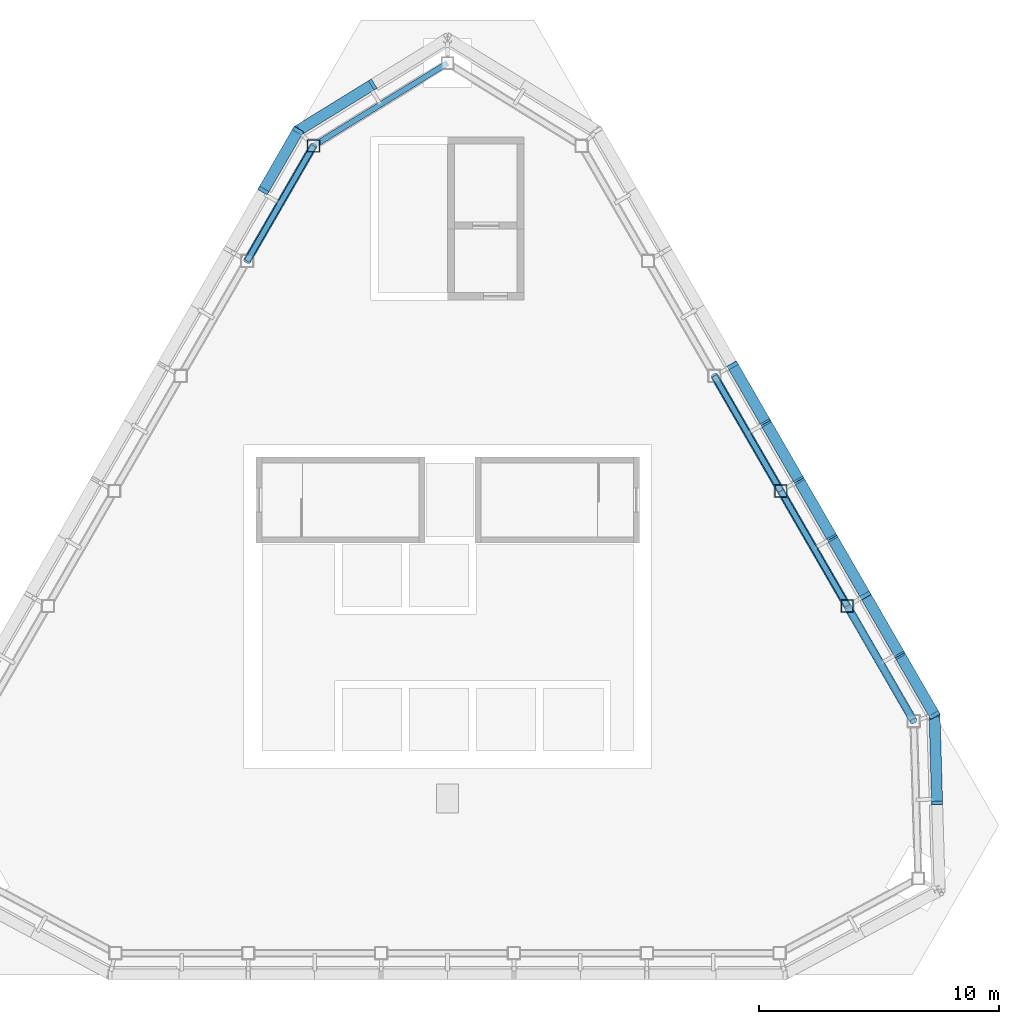
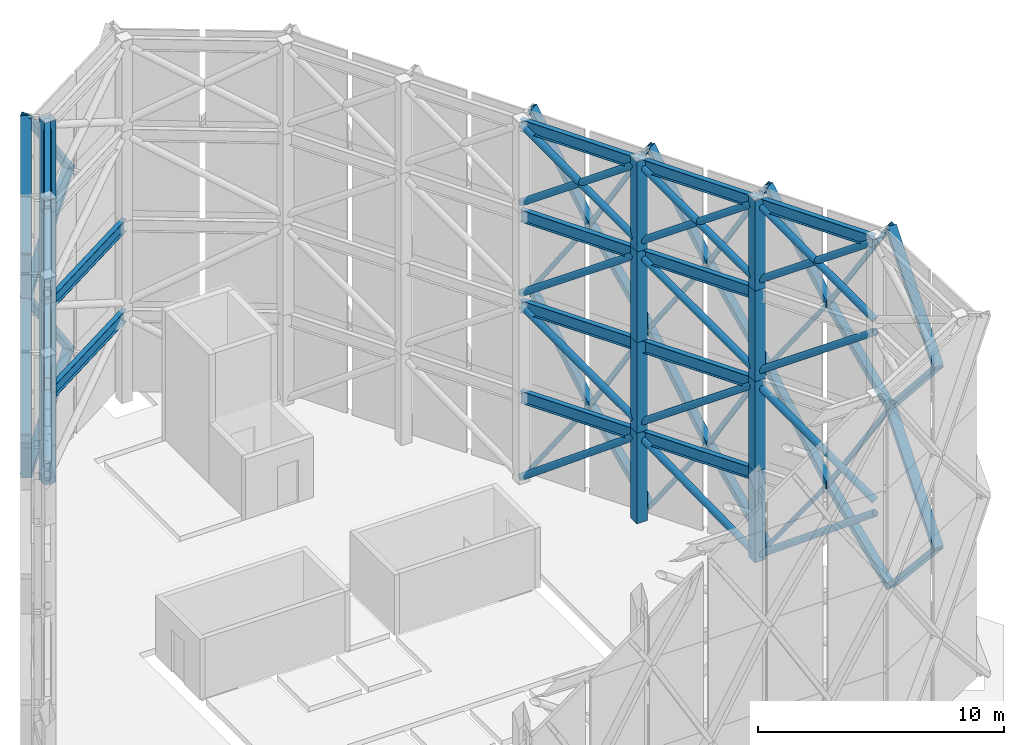
# One storey, part 5 of 12: 68 members, 15 beams.
"""IFC4 building model written with IfcOpenShell, lengths in metres."""

from ifc_helpers import new_model, si_unit, direction, frame, origin, origin_2d, place, context, subcontext, project, spatial, hollow_rectangle, hollow_circle, i_section, extrude, material, material_profile, profile_set, type_object, element, save


model = new_model("IFC4")

# Units and contexts
model_context = context("Model", 3, precision=1e-05, world=origin(), true_north=direction((0.0, 1.0)))
body_context = subcontext(model_context, "Body", "Model", "MODEL_VIEW")
ifc_project = project(units=[si_unit("LENGTHUNIT", "METRE"), si_unit("AREAUNIT", "SQUARE_METRE"), si_unit("VOLUMEUNIT", "CUBIC_METRE"), si_unit("PLANEANGLEUNIT", "RADIAN"), si_unit("MASSUNIT", "GRAM", prefix="KILO")], contexts=[model_context])

# Site, building, storey
site_placement = place(None, origin())
site = spatial("IfcSite", under=ifc_project, at=site_placement, CompositionType="ELEMENT")
building_placement = place(site_placement, origin())
building = spatial("IfcBuilding", under=site, at=building_placement, Name="Firuza Gate Tower and Library", CompositionType="ELEMENT")
storey_placement = place(building_placement, frame((0.0, 0.0, 339.60009765625)))
storey = spatial("IfcBuildingStorey", under=building, at=storey_placement, Name="Roof", CompositionType="ELEMENT", Elevation=339.60009765625)

# Members
ifc_material_1 = material(Name="Steel S355", Category="steel")
ifc_material_profile_1 = material_profile(ifc_material_1, hollow_rectangle(XDim=0.457275390625, YDim=0.203125, WallThickness=0.01171875, at=origin_2d()))
ifc_profile_set_1 = profile_set([ifc_material_profile_1], Name="Steel S355")
member_type_1 = type_object("IfcMemberType", Name="Crown lattice bar HSS203x457x13", PredefinedType="BRACE", material=ifc_profile_set_1)
member_1_placement = place(storey_placement, frame((95.427978515625, 66.809814453125, 4.198486328125), z_axis=(-0.019488030529, 0.66649952247, -0.74525069823), x_axis=(-0.99957280333, -0.029226885618, 0.0)))
element("IfcMember", 1, at=member_1_placement, inside=storey, type_object=member_type_1, Name="Crown lattice bar 9.1b", PredefinedType="BRACE", context=body_context, shape_type="SweptSolid", body=[
    extrude(hollow_rectangle(XDim=0.457275390625, YDim=0.203125, WallThickness=0.01171875, at=origin_2d()), origin(), (0.0, 0.0, 1.0), 5.499755859375),
])
member_2_placement = place(storey_placement, frame((95.427978515625, 66.809814453125, 4.198486328125), z_axis=(-0.017739671757, 0.606704855959, 0.794729212878), x_axis=(-0.99957280333, -0.029226885618, 0.0)))
element("IfcMember", 2, at=member_2_placement, inside=storey, type_object=member_type_1, Name="Crown lattice bar 9.2b", PredefinedType="BRACE", context=body_context, shape_type="SweptSolid", body=[
    extrude(hollow_rectangle(XDim=0.457275390625, YDim=0.203125, WallThickness=0.01171875, at=origin_2d()), origin(), (0.0, 0.0, 1.0), 6.041748046875),
])
member_3_placement = place(storey_placement, frame((95.427978515625, 66.809814453125, 13.198486328125), z_axis=(-0.019226487301, 0.657554624899, -0.753161508218), x_axis=(-0.99957280333, -0.029226885618, 0.0)))
element("IfcMember", 3, at=member_3_placement, inside=storey, type_object=member_type_1, Name="Crown lattice bar 9.3b", PredefinedType="BRACE", context=body_context, shape_type="SweptSolid", body=[
    extrude(hollow_rectangle(XDim=0.457275390625, YDim=0.203125, WallThickness=0.01171875, at=origin_2d()), origin(), (0.0, 0.0, 1.0), 5.574462890625),
])
member_4_placement = place(storey_placement, frame((95.427978515625, 66.809814453125, 13.198486328125), z_axis=(-0.017739671757, 0.606704855959, 0.794729212878), x_axis=(-0.99957280333, -0.029226885618, 0.0)))
element("IfcMember", 4, at=member_4_placement, inside=storey, type_object=member_type_1, Name="Crown lattice bar 9.4b", PredefinedType="BRACE", context=body_context, shape_type="SweptSolid", body=[
    extrude(hollow_rectangle(XDim=0.457275390625, YDim=0.203125, WallThickness=0.01171875, at=origin_2d()), origin(), (0.0, 0.0, 1.0), 6.041748046875),
])
member_5_placement = place(storey_placement, frame((95.32080078125, 70.475341796875, 0.099853515625), z_axis=(-0.287622027122, 0.498161545874, 0.817990613471), x_axis=(-0.866019137337, -0.500010853648, 0.0)))
element("IfcMember", 5, at=member_5_placement, inside=storey, type_object=member_type_1, Name="Crown lattice bar 10.1a", PredefinedType="BRACE", context=body_context, shape_type="SweptSolid", body=[
    extrude(hollow_rectangle(XDim=0.457275390625, YDim=0.203125, WallThickness=0.01171875, at=origin_2d()), origin(), (0.0, 0.0, 1.0), 5.010498046875),
])
member_6_placement = place(storey_placement, frame((93.879638671875, 72.971435546875, 4.198486328125), z_axis=(-0.287570351699, 0.498205158611, -0.817982220319), x_axis=(-0.866076985468, -0.49991064726, 0.0)))
element("IfcMember", 6, at=member_6_placement, inside=storey, type_object=member_type_1, Name="Crown lattice bar 10.1b", PredefinedType="BRACE", context=body_context, shape_type="SweptSolid", body=[
    extrude(hollow_rectangle(XDim=0.457275390625, YDim=0.203125, WallThickness=0.01171875, at=origin_2d()), origin(), (0.0, 0.0, 1.0), 5.0107421875),
])
member_7_placement = place(storey_placement, frame((95.32080078125, 70.475341796875, 9.0), z_axis=(-0.257342311156, 0.445717057303, -0.85738628384), x_axis=(-0.866019137337, -0.500010853648, 0.0)))
element("IfcMember", 7, at=member_7_placement, inside=storey, type_object=member_type_1, Name="Crown lattice bar 10.2a", PredefinedType="BRACE", context=body_context, shape_type="SweptSolid", body=[
    extrude(hollow_rectangle(XDim=0.457275390625, YDim=0.203125, WallThickness=0.01171875, at=origin_2d()), origin(), (0.0, 0.0, 1.0), 5.60009765625),
])
member_8_placement = place(storey_placement, frame((93.879638671875, 72.971435546875, 4.198486328125), z_axis=(-0.257296602523, 0.445756990986, 0.857379241244), x_axis=(-0.866076985468, -0.49991064726, 0.0)))
element("IfcMember", 8, at=member_8_placement, inside=storey, type_object=member_type_1, Name="Crown lattice bar 10.2b", PredefinedType="BRACE", context=body_context, shape_type="SweptSolid", body=[
    extrude(hollow_rectangle(XDim=0.457275390625, YDim=0.203125, WallThickness=0.01171875, at=origin_2d()), origin(), (0.0, 0.0, 1.0), 5.600341796875),
])
member_9_placement = place(storey_placement, frame((95.32080078125, 70.475341796875, 9.0), z_axis=(-0.282990630091, 0.490139963079, 0.82442654001), x_axis=(-0.866019137337, -0.500010853648, 0.0)))
element("IfcMember", 9, at=member_9_placement, inside=storey, type_object=member_type_1, Name="Crown lattice bar 10.3a", PredefinedType="BRACE", context=body_context, shape_type="SweptSolid", body=[
    extrude(hollow_rectangle(XDim=0.457275390625, YDim=0.203125, WallThickness=0.01171875, at=origin_2d()), origin(), (0.0, 0.0, 1.0), 5.092529296875),
])
member_10_placement = place(storey_placement, frame((93.879638671875, 72.971435546875, 13.198486328125), z_axis=(-0.282939879508, 0.49018303422, -0.824418351049), x_axis=(-0.866076985468, -0.49991064726, 0.0)))
element("IfcMember", 10, at=member_10_placement, inside=storey, type_object=member_type_1, Name="Crown lattice bar 10.3b", PredefinedType="BRACE", context=body_context, shape_type="SweptSolid", body=[
    extrude(hollow_rectangle(XDim=0.457275390625, YDim=0.203125, WallThickness=0.01171875, at=origin_2d()), origin(), (0.0, 0.0, 1.0), 5.0927734375),
])
member_11_placement = place(storey_placement, frame((95.32080078125, 70.475341796875, 18.0), z_axis=(-0.257342311156, 0.445717057303, -0.85738628384), x_axis=(-0.866019137337, -0.500010853648, 0.0)))
element("IfcMember", 11, at=member_11_placement, inside=storey, type_object=member_type_1, Name="Crown lattice bar 10.4a", PredefinedType="BRACE", context=body_context, shape_type="SweptSolid", body=[
    extrude(hollow_rectangle(XDim=0.457275390625, YDim=0.203125, WallThickness=0.01171875, at=origin_2d()), origin(), (0.0, 0.0, 1.0), 5.60009765625),
])
member_12_placement = place(storey_placement, frame((93.879638671875, 72.971435546875, 13.198486328125), z_axis=(-0.257296602523, 0.445756990986, 0.857379241244), x_axis=(-0.866076985468, -0.49991064726, 0.0)))
element("IfcMember", 12, at=member_12_placement, inside=storey, type_object=member_type_1, Name="Crown lattice bar 10.4b", PredefinedType="BRACE", context=body_context, shape_type="SweptSolid", body=[
    extrude(hollow_rectangle(XDim=0.457275390625, YDim=0.203125, WallThickness=0.01171875, at=origin_2d()), origin(), (0.0, 0.0, 1.0), 5.600341796875),
])
member_13_placement = place(storey_placement, frame((92.438720703125, 75.4677734375, 0.099853515625), z_axis=(-0.280077823985, 0.485103080972, 0.828390857834), x_axis=(-0.86602275259, -0.500004591975, 0.0)))
element("IfcMember", 13, at=member_13_placement, inside=storey, type_object=member_type_1, Name="Crown lattice bar 11.1a", PredefinedType="BRACE", context=body_context, shape_type="SweptSolid", body=[
    extrude(hollow_rectangle(XDim=0.457275390625, YDim=0.203125, WallThickness=0.01171875, at=origin_2d()), origin(), (0.0, 0.0, 1.0), 4.94775390625),
])
member_14_placement = place(storey_placement, frame((91.052978515625, 77.867919921875, 4.198486328125), z_axis=(-0.280084528118, 0.485065347322, -0.828410686759), x_axis=(-0.866000726912, -0.500042739161, 0.0)))
element("IfcMember", 14, at=member_14_placement, inside=storey, type_object=member_type_1, Name="Crown lattice bar 11.1b", PredefinedType="BRACE", context=body_context, shape_type="SweptSolid", body=[
    extrude(hollow_rectangle(XDim=0.457275390625, YDim=0.203125, WallThickness=0.01171875, at=origin_2d()), origin(), (0.0, 0.0, 1.0), 4.947509765625),
])
for number, where, z_axis, x_axis, name in (
    (15, (92.438720703125, 75.4677734375, 9.0), (-0.249955196291, 0.432929798228, -0.866079782499), (-0.86602275259, -0.500004591975, 0.0), "Crown lattice bar 11.2a"),
    (16, (91.052978515625, 77.867919921875, 4.198486328125), (-0.249959961586, 0.432894013811, 0.86609629396), (-0.866000726912, -0.500042739161, 0.0), "Crown lattice bar 11.2b"),
):
    element("IfcMember", number, at=place(storey_placement, frame(where, z_axis=z_axis, x_axis=x_axis)), inside=storey, type_object=member_type_1, Name=name, PredefinedType="BRACE", context=body_context, shape_type="SweptSolid", body=[
        extrude(hollow_rectangle(XDim=0.457275390625, YDim=0.203125, WallThickness=0.01171875, at=origin_2d()), origin(), (0.0, 0.0, 1.0), 5.5439453125),
    ])
member_15_placement = place(storey_placement, frame((92.438720703125, 75.4677734375, 9.0), z_axis=(-0.275455337483, 0.477096797533, 0.834567554387), x_axis=(-0.86602275259, -0.500004591975, 0.0)))
element("IfcMember", 17, at=member_15_placement, inside=storey, type_object=member_type_1, Name="Crown lattice bar 11.3a", PredefinedType="BRACE", context=body_context, shape_type="SweptSolid", body=[
    extrude(hollow_rectangle(XDim=0.457275390625, YDim=0.203125, WallThickness=0.01171875, at=origin_2d()), origin(), (0.0, 0.0, 1.0), 5.03076171875),
])
member_16_placement = place(storey_placement, frame((91.052978515625, 77.867919921875, 13.198486328125), z_axis=(-0.275461715116, 0.477059312824, -0.834586877175), x_axis=(-0.866000726912, -0.500042739161, 0.0)))
element("IfcMember", 18, at=member_16_placement, inside=storey, type_object=member_type_1, Name="Crown lattice bar 11.3b", PredefinedType="BRACE", context=body_context, shape_type="SweptSolid", body=[
    extrude(hollow_rectangle(XDim=0.457275390625, YDim=0.203125, WallThickness=0.01171875, at=origin_2d()), origin(), (0.0, 0.0, 1.0), 5.030517578125),
])
for number, where, z_axis, x_axis, name in (
    (19, (92.438720703125, 75.4677734375, 18.0), (-0.249955196291, 0.432929798228, -0.866079782499), (-0.86602275259, -0.500004591975, 0.0), "Crown lattice bar 11.4a"),
    (20, (91.052978515625, 77.867919921875, 13.198486328125), (-0.249959961586, 0.432894013811, 0.86609629396), (-0.866000726912, -0.500042739161, 0.0), "Crown lattice bar 11.4b"),
):
    element("IfcMember", number, at=place(storey_placement, frame(where, z_axis=z_axis, x_axis=x_axis)), inside=storey, type_object=member_type_1, Name=name, PredefinedType="BRACE", context=body_context, shape_type="SweptSolid", body=[
        extrude(hollow_rectangle(XDim=0.457275390625, YDim=0.203125, WallThickness=0.01171875, at=origin_2d()), origin(), (0.0, 0.0, 1.0), 5.5439453125),
    ])
for number, where, z_axis, x_axis, name in (
    (21, (89.667236328125, 80.267822265625, 0.099853515625), (-0.280077823985, 0.485103080972, 0.828390857834), (-0.86602275259, -0.500004591975, 0.0), "Crown lattice bar 12.1a"),
    (22, (88.281494140625, 82.66796875, 4.198486328125), (-0.280077823985, 0.485103080972, -0.828390857834), (-0.86602275259, -0.500004591975, 0.0), "Crown lattice bar 12.1b"),
):
    element("IfcMember", number, at=place(storey_placement, frame(where, z_axis=z_axis, x_axis=x_axis)), inside=storey, type_object=member_type_1, Name=name, PredefinedType="BRACE", context=body_context, shape_type="SweptSolid", body=[
        extrude(hollow_rectangle(XDim=0.457275390625, YDim=0.203125, WallThickness=0.01171875, at=origin_2d()), origin(), (0.0, 0.0, 1.0), 4.94775390625),
    ])
for number, where, z_axis, x_axis, name in (
    (23, (89.667236328125, 80.267822265625, 9.0), (-0.249955196291, 0.432929798228, -0.866079782499), (-0.86602275259, -0.500004591975, 0.0), "Crown lattice bar 12.2a"),
    (24, (88.281494140625, 82.66796875, 4.198486328125), (-0.249955196291, 0.432929798228, 0.866079782499), (-0.86602275259, -0.500004591975, 0.0), "Crown lattice bar 12.2b"),
):
    element("IfcMember", number, at=place(storey_placement, frame(where, z_axis=z_axis, x_axis=x_axis)), inside=storey, type_object=member_type_1, Name=name, PredefinedType="BRACE", context=body_context, shape_type="SweptSolid", body=[
        extrude(hollow_rectangle(XDim=0.457275390625, YDim=0.203125, WallThickness=0.01171875, at=origin_2d()), origin(), (0.0, 0.0, 1.0), 5.5439453125),
    ])
for number, where, z_axis, x_axis, name in (
    (25, (89.667236328125, 80.267822265625, 9.0), (-0.275455337483, 0.477096797533, 0.834567554387), (-0.86602275259, -0.500004591975, 0.0), "Crown lattice bar 12.3a"),
    (26, (88.281494140625, 82.66796875, 13.198486328125), (-0.275455337483, 0.477096797533, -0.834567554387), (-0.86602275259, -0.500004591975, 0.0), "Crown lattice bar 12.3b"),
):
    element("IfcMember", number, at=place(storey_placement, frame(where, z_axis=z_axis, x_axis=x_axis)), inside=storey, type_object=member_type_1, Name=name, PredefinedType="BRACE", context=body_context, shape_type="SweptSolid", body=[
        extrude(hollow_rectangle(XDim=0.457275390625, YDim=0.203125, WallThickness=0.01171875, at=origin_2d()), origin(), (0.0, 0.0, 1.0), 5.03076171875),
    ])
for number, where, z_axis, x_axis, name in (
    (27, (89.667236328125, 80.267822265625, 18.0), (-0.249955196291, 0.432929798228, -0.866079782499), (-0.86602275259, -0.500004591975, 0.0), "Crown lattice bar 12.4a"),
    (28, (88.281494140625, 82.66796875, 13.198486328125), (-0.249955196291, 0.432929798228, 0.866079782499), (-0.86602275259, -0.500004591975, 0.0), "Crown lattice bar 12.4b"),
):
    element("IfcMember", number, at=place(storey_placement, frame(where, z_axis=z_axis, x_axis=x_axis)), inside=storey, type_object=member_type_1, Name=name, PredefinedType="BRACE", context=body_context, shape_type="SweptSolid", body=[
        extrude(hollow_rectangle(XDim=0.457275390625, YDim=0.203125, WallThickness=0.01171875, at=origin_2d()), origin(), (0.0, 0.0, 1.0), 5.5439453125),
    ])
member_17_placement = place(storey_placement, frame((71.87890625, 96.786376953125, 4.198486328125), z_axis=(-0.567454152769, -0.350158676136, -0.745241360924), x_axis=(0.525137077741, -0.85101765527, 0.0)))
element("IfcMember", 29, at=member_17_placement, inside=storey, type_object=member_type_1, Name="Crown lattice bar 16.1b", PredefinedType="BRACE", context=body_context, shape_type="SweptSolid", body=[
    extrude(hollow_rectangle(XDim=0.457275390625, YDim=0.203125, WallThickness=0.01171875, at=origin_2d()), origin(), (0.0, 0.0, 1.0), 5.499755859375),
])
member_18_placement = place(storey_placement, frame((71.87890625, 96.786376953125, 4.198486328125), z_axis=(-0.516546400492, -0.318745052576, 0.794720962097), x_axis=(0.525137077741, -0.85101765527, 0.0)))
element("IfcMember", 30, at=member_18_placement, inside=storey, type_object=member_type_1, Name="Crown lattice bar 16.2b", PredefinedType="BRACE", context=body_context, shape_type="SweptSolid", body=[
    extrude(hollow_rectangle(XDim=0.457275390625, YDim=0.203125, WallThickness=0.01171875, at=origin_2d()), origin(), (0.0, 0.0, 1.0), 6.041748046875),
])
member_19_placement = place(storey_placement, frame((71.87890625, 96.786376953125, 13.198486328125), z_axis=(-0.559838701503, -0.345459413084, -0.753152323379), x_axis=(0.525137077741, -0.85101765527, 0.0)))
element("IfcMember", 31, at=member_19_placement, inside=storey, type_object=member_type_1, Name="Crown lattice bar 16.3b", PredefinedType="BRACE", context=body_context, shape_type="SweptSolid", body=[
    extrude(hollow_rectangle(XDim=0.457275390625, YDim=0.203125, WallThickness=0.01171875, at=origin_2d()), origin(), (0.0, 0.0, 1.0), 5.574462890625),
])
member_20_placement = place(storey_placement, frame((71.87890625, 96.786376953125, 13.198486328125), z_axis=(-0.516546400492, -0.318745052576, 0.794720962097), x_axis=(0.525137077741, -0.85101765527, 0.0)))
element("IfcMember", 32, at=member_20_placement, inside=storey, type_object=member_type_1, Name="Crown lattice bar 16.4b", PredefinedType="BRACE", context=body_context, shape_type="SweptSolid", body=[
    extrude(hollow_rectangle(XDim=0.457275390625, YDim=0.203125, WallThickness=0.01171875, at=origin_2d()), origin(), (0.0, 0.0, 1.0), 6.041748046875),
])
member_21_placement = place(storey_placement, frame((68.758056640625, 94.860595703125, 0.099853515625), z_axis=(-0.287622027122, -0.498161545874, 0.817990613471), x_axis=(0.866019137337, -0.500010853648, 0.0)))
element("IfcMember", 33, at=member_21_placement, inside=storey, type_object=member_type_1, Name="Crown lattice bar 17.1a", PredefinedType="BRACE", context=body_context, shape_type="SweptSolid", body=[
    extrude(hollow_rectangle(XDim=0.457275390625, YDim=0.203125, WallThickness=0.01171875, at=origin_2d()), origin(), (0.0, 0.0, 1.0), 5.010498046875),
])
member_22_placement = place(storey_placement, frame((68.758056640625, 94.860595703125, 9.0), z_axis=(-0.257342311156, -0.445717057303, -0.85738628384), x_axis=(0.866019137337, -0.500010853648, 0.0)))
element("IfcMember", 34, at=member_22_placement, inside=storey, type_object=member_type_1, Name="Crown lattice bar 17.2a", PredefinedType="BRACE", context=body_context, shape_type="SweptSolid", body=[
    extrude(hollow_rectangle(XDim=0.457275390625, YDim=0.203125, WallThickness=0.01171875, at=origin_2d()), origin(), (0.0, 0.0, 1.0), 5.60009765625),
])
member_23_placement = place(storey_placement, frame((68.758056640625, 94.860595703125, 9.0), z_axis=(-0.282990630091, -0.490139963079, 0.82442654001), x_axis=(0.866019137337, -0.500010853648, 0.0)))
element("IfcMember", 35, at=member_23_placement, inside=storey, type_object=member_type_1, Name="Crown lattice bar 17.3a", PredefinedType="BRACE", context=body_context, shape_type="SweptSolid", body=[
    extrude(hollow_rectangle(XDim=0.457275390625, YDim=0.203125, WallThickness=0.01171875, at=origin_2d()), origin(), (0.0, 0.0, 1.0), 5.092529296875),
])
member_24_placement = place(storey_placement, frame((68.758056640625, 94.860595703125, 18.0), z_axis=(-0.257342311156, -0.445717057303, -0.85738628384), x_axis=(0.866019137337, -0.500010853648, 0.0)))
element("IfcMember", 36, at=member_24_placement, inside=storey, type_object=member_type_1, Name="Crown lattice bar 17.4a", PredefinedType="BRACE", context=body_context, shape_type="SweptSolid", body=[
    extrude(hollow_rectangle(XDim=0.457275390625, YDim=0.203125, WallThickness=0.01171875, at=origin_2d()), origin(), (0.0, 0.0, 1.0), 5.60009765625),
])
ifc_material_2 = material(Name="Steel S355", Category="steel")
ifc_material_profile_2 = material_profile(ifc_material_2, hollow_circle(Radius=0.161865234375, WallThickness=0.01171875, at=origin_2d()))
ifc_profile_set_2 = profile_set([ifc_material_profile_2], Name="Steel S355")
member_type_2 = type_object("IfcMemberType", Name="HSS324x13 CROWN FRAME brace", PredefinedType="BRACE", material=ifc_profile_set_2)
for number, where, z_axis, x_axis, name in (
    (37, (91.677734375, 75.0283203125, 0.161865234375), (0.40418408875, -0.700058804881, 0.588687431589), (0.86602275259, 0.500004591975, 0.0), "CROWN FRAME brace tier 1 10"),
    (38, (91.677734375, 75.0283203125, 0.161865234375), (-0.40418408875, 0.700058804881, 0.588687431589), (-0.86602275259, -0.500004591975, 0.0), "CROWN FRAME brace tier 1 11"),
    (39, (86.134765625, 84.62890625, 0.161865234375), (0.40418408875, -0.700058804881, 0.588687431589), (0.86602275259, 0.500004591975, 0.0), "CROWN FRAME brace tier 1 12"),
    (40, (69.407958984375, 94.2294921875, 0.161865234375), (-0.40418408875, -0.700058804881, 0.588687431589), (0.86602275259, -0.500004591975, 0.0), "CROWN FRAME brace tier 1 17"),
):
    element("IfcMember", number, at=place(storey_placement, frame(where, z_axis=z_axis, x_axis=x_axis)), inside=storey, type_object=member_type_2, Name=name, PredefinedType="BRACE", context=body_context, shape_type="SweptSolid", body=[
        extrude(hollow_circle(Radius=0.161865234375, WallThickness=0.01171875, at=origin_2d()), origin(), (0.0, 0.0, 1.0), 6.85693359375),
    ])
for number, where, z_axis, x_axis, name in (
    (41, (94.44921875, 70.22802734375, 4.801513671875), (-0.409031926637, 0.708455403588, 0.575138091347), (-0.86602275259, -0.500004591975, 0.0), "CROWN FRAME brace tier 2 10"),
    (42, (88.90625, 79.82861328125, 4.801513671875), (0.409031926637, -0.708455403588, 0.575138091347), (0.86602275259, 0.500004591975, 0.0), "CROWN FRAME brace tier 2 11"),
    (43, (88.90625, 79.82861328125, 4.801513671875), (-0.409031926637, 0.708455403588, 0.575138091347), (-0.86602275259, -0.500004591975, 0.0), "CROWN FRAME brace tier 2 12"),
    (44, (66.636474609375, 89.42919921875, 4.801513671875), (0.409031926637, 0.708455403588, 0.575138091347), (-0.86602275259, 0.500004591975, 0.0), "CROWN FRAME brace tier 2 17"),
    (45, (91.677734375, 75.0283203125, 9.301513671875), (0.409031926637, -0.708455403588, 0.575138091347), (0.86602275259, 0.500004591975, 0.0), "CROWN FRAME brace tier 3 10"),
    (46, (91.677734375, 75.0283203125, 9.301513671875), (-0.409031926637, 0.708455403588, 0.575138091347), (-0.86602275259, -0.500004591975, 0.0), "CROWN FRAME brace tier 3 11"),
    (47, (86.134765625, 84.62890625, 9.301513671875), (0.409031926637, -0.708455403588, 0.575138091347), (0.86602275259, 0.500004591975, 0.0), "CROWN FRAME brace tier 3 12"),
    (48, (69.407958984375, 94.2294921875, 9.301513671875), (-0.409031926637, -0.708455403588, 0.575138091347), (0.86602275259, -0.500004591975, 0.0), "CROWN FRAME brace tier 3 17"),
    (49, (94.44921875, 70.22802734375, 13.801513671875), (-0.409031926637, 0.708455403588, 0.575138091347), (-0.86602275259, -0.500004591975, 0.0), "CROWN FRAME brace tier 4 10"),
    (50, (91.677734375, 75.0283203125, 13.801513671875), (0.409031926637, -0.708455403588, 0.575138091347), (0.86602275259, 0.500004591975, 0.0), "CROWN FRAME counter brace tier 4 10"),
    (51, (88.90625, 79.82861328125, 13.801513671875), (0.409031926637, -0.708455403588, 0.575138091347), (0.86602275259, 0.500004591975, 0.0), "CROWN FRAME brace tier 4 11"),
    (52, (91.677734375, 75.0283203125, 13.801513671875), (-0.409031926637, 0.708455403588, 0.575138091347), (-0.86602275259, -0.500004591975, 0.0), "CROWN FRAME counter brace tier 4 11"),
    (53, (88.90625, 79.82861328125, 13.801513671875), (-0.409031926637, 0.708455403588, 0.575138091347), (-0.86602275259, -0.500004591975, 0.0), "CROWN FRAME brace tier 4 12"),
    (54, (86.134765625, 84.62890625, 13.801513671875), (0.409031926637, -0.708455403588, 0.575138091347), (0.86602275259, 0.500004591975, 0.0), "CROWN FRAME counter brace tier 4 12"),
    (55, (66.636474609375, 89.42919921875, 13.801513671875), (0.409031926637, 0.708455403588, 0.575138091347), (-0.86602275259, 0.500004591975, 0.0), "CROWN FRAME brace tier 4 17"),
    (56, (69.407958984375, 94.2294921875, 13.801513671875), (-0.409031926637, -0.708455403588, 0.575138091347), (0.86602275259, -0.500004591975, 0.0), "CROWN FRAME counter brace tier 4 17"),
):
    element("IfcMember", number, at=place(storey_placement, frame(where, z_axis=z_axis, x_axis=x_axis)), inside=storey, type_object=member_type_2, Name=name, PredefinedType="BRACE", context=body_context, shape_type="SweptSolid", body=[
        extrude(hollow_circle(Radius=0.161865234375, WallThickness=0.01171875, at=origin_2d()), origin(), (0.0, 0.0, 1.0), 6.775634765625),
    ])
ifc_material_3 = material(Name="Steel S355", Category="steel")
ifc_material_profile_3 = material_profile(ifc_material_3, hollow_rectangle(XDim=0.508056640625, YDim=0.508056640625, WallThickness=0.014892578125, at=origin_2d()))
ifc_profile_set_3 = profile_set([ifc_material_profile_3], Name="Steel S355")
member_type_3 = type_object("IfcMemberType", Name="HSS508x508x16 CROWN FRAME post", PredefinedType="POST", material=ifc_profile_set_3)
member_25_placement = place(storey_placement, frame((91.677734375, 75.0283203125, -0.00048828125), z_axis=(0.0, 0.0, 1.0), x_axis=(1.0, 0.0, 0.0)))
element("IfcMember", 57, at=member_25_placement, inside=storey, type_object=member_type_3, Name="CROWN FRAME post E2 tier 1", PredefinedType="POST", context=body_context, shape_type="SweptSolid", body=[
    extrude(hollow_rectangle(XDim=0.508056640625, YDim=0.508056640625, WallThickness=0.014892578125, at=origin_2d()), origin(), (0.0, 0.0, 1.0), 4.50048828125),
])
for number, where, z_axis, x_axis, name in (
    (58, (91.677734375, 75.0283203125, 4.5), (0.0, 0.0, 1.0), (1.0, 0.0, 0.0), "CROWN FRAME post E2 tier 2"),
    (59, (91.677734375, 75.0283203125, 9.0), (0.0, 0.0, 1.0), (1.0, 0.0, 0.0), "CROWN FRAME post E2 tier 3"),
    (60, (91.677734375, 75.0283203125, 13.5), (0.0, 0.0, 1.0), (1.0, 0.0, 0.0), "CROWN FRAME post E2 tier 4"),
):
    element("IfcMember", number, at=place(storey_placement, frame(where, z_axis=z_axis, x_axis=x_axis)), inside=storey, type_object=member_type_3, Name=name, PredefinedType="POST", context=body_context, shape_type="SweptSolid", body=[
        extrude(hollow_rectangle(XDim=0.508056640625, YDim=0.508056640625, WallThickness=0.014892578125, at=origin_2d()), origin(), (0.0, 0.0, 1.0), 4.5),
    ])
member_26_placement = place(storey_placement, frame((88.90625, 79.82861328125, -0.00048828125), z_axis=(0.0, 0.0, 1.0), x_axis=(1.0, 0.0, 0.0)))
element("IfcMember", 61, at=member_26_placement, inside=storey, type_object=member_type_3, Name="CROWN FRAME post E3 tier 1", PredefinedType="POST", context=body_context, shape_type="SweptSolid", body=[
    extrude(hollow_rectangle(XDim=0.508056640625, YDim=0.508056640625, WallThickness=0.014892578125, at=origin_2d()), origin(), (0.0, 0.0, 1.0), 4.50048828125),
])
for number, where, z_axis, x_axis, name in (
    (62, (88.90625, 79.82861328125, 4.5), (0.0, 0.0, 1.0), (1.0, 0.0, 0.0), "CROWN FRAME post E3 tier 2"),
    (63, (88.90625, 79.82861328125, 9.0), (0.0, 0.0, 1.0), (1.0, 0.0, 0.0), "CROWN FRAME post E3 tier 3"),
    (64, (88.90625, 79.82861328125, 13.5), (0.0, 0.0, 1.0), (1.0, 0.0, 0.0), "CROWN FRAME post E3 tier 4"),
):
    element("IfcMember", number, at=place(storey_placement, frame(where, z_axis=z_axis, x_axis=x_axis)), inside=storey, type_object=member_type_3, Name=name, PredefinedType="POST", context=body_context, shape_type="SweptSolid", body=[
        extrude(hollow_rectangle(XDim=0.508056640625, YDim=0.508056640625, WallThickness=0.014892578125, at=origin_2d()), origin(), (0.0, 0.0, 1.0), 4.5),
    ])
member_27_placement = place(storey_placement, frame((69.407958984375, 94.2294921875, -0.00048828125), z_axis=(0.0, 0.0, 1.0), x_axis=(1.0, 0.0, 0.0)))
element("IfcMember", 65, at=member_27_placement, inside=storey, type_object=member_type_3, Name="CROWN FRAME post W1 tier 1", PredefinedType="POST", context=body_context, shape_type="SweptSolid", body=[
    extrude(hollow_rectangle(XDim=0.508056640625, YDim=0.508056640625, WallThickness=0.014892578125, at=origin_2d()), origin(), (0.0, 0.0, 1.0), 4.50048828125),
])
for number, where, z_axis, x_axis, name in (
    (66, (69.407958984375, 94.2294921875, 4.5), (0.0, 0.0, 1.0), (1.0, 0.0, 0.0), "CROWN FRAME post W1 tier 2"),
    (67, (69.407958984375, 94.2294921875, 9.0), (0.0, 0.0, 1.0), (1.0, 0.0, 0.0), "CROWN FRAME post W1 tier 3"),
    (68, (69.407958984375, 94.2294921875, 13.5), (0.0, 0.0, 1.0), (1.0, 0.0, 0.0), "CROWN FRAME post W1 tier 4"),
):
    element("IfcMember", number, at=place(storey_placement, frame(where, z_axis=z_axis, x_axis=x_axis)), inside=storey, type_object=member_type_3, Name=name, PredefinedType="POST", context=body_context, shape_type="SweptSolid", body=[
        extrude(hollow_rectangle(XDim=0.508056640625, YDim=0.508056640625, WallThickness=0.014892578125, at=origin_2d()), origin(), (0.0, 0.0, 1.0), 4.5),
    ])

# Beams
ifc_material_4 = material(Name="Steel S355", Category="steel")
ifc_material_profile_4 = material_profile(ifc_material_4, i_section(OverallWidth=0.22802734375, OverallDepth=0.60302734375, WebThickness=0.010498046875, FlangeThickness=0.014892578125, at=origin_2d()))
ifc_profile_set_4 = profile_set([ifc_material_profile_4], Name="Steel S355")
beam_type = type_object("IfcBeamType", Name="W610x101 CROWN FRAME ring beam", PredefinedType="BEAM", material=ifc_profile_set_4)
for number, where, z_axis, x_axis, name in (
    (69, (91.677734375, 75.0283203125, 4.198486328125), (-0.500004591975, 0.86602275259, 0.0), (-0.86602275259, -0.500004591975, 0.0), "CROWN FRAME ring beam tier 1 11"),
    (70, (88.90625, 79.82861328125, 4.198486328125), (-0.500004591975, 0.86602275259, 0.0), (-0.86602275259, -0.500004591975, 0.0), "CROWN FRAME ring beam tier 1 12"),
):
    element("IfcBeam", number, at=place(storey_placement, frame(where, z_axis=z_axis, x_axis=x_axis)), inside=storey, type_object=beam_type, Name=name, PredefinedType="BEAM", context=body_context, shape_type="SweptSolid", body=[
        extrude(i_section(OverallWidth=0.22802734375, OverallDepth=0.60302734375, WebThickness=0.010498046875, FlangeThickness=0.014892578125, at=origin_2d()), origin(), (0.0, 0.0, 1.0), 5.54296875),
    ])
beam_1_placement = place(storey_placement, frame((75.0, 97.6796875, 4.198486328125), z_axis=(-0.851050497094, -0.525083851776, 0.0), x_axis=(0.525083851776, -0.851050497094, 0.0)))
element("IfcBeam", 71, at=beam_1_placement, inside=storey, type_object=beam_type, Name="CROWN FRAME ring beam tier 1 16", PredefinedType="BEAM", context=body_context, shape_type="SweptSolid", body=[
    extrude(i_section(OverallWidth=0.22802734375, OverallDepth=0.60302734375, WebThickness=0.010498046875, FlangeThickness=0.014892578125, at=origin_2d()), origin(), (0.0, 0.0, 1.0), 6.57080078125),
])
for number, where, z_axis, x_axis, name in (
    (72, (69.407958984375, 94.2294921875, 4.198486328125), (-0.500004591975, -0.86602275259, 0.0), (0.86602275259, -0.500004591975, 0.0), "CROWN FRAME ring beam tier 1 17"),
    (73, (91.677734375, 75.0283203125, 8.698486328125), (-0.500004591975, 0.86602275259, 0.0), (-0.86602275259, -0.500004591975, 0.0), "CROWN FRAME ring beam tier 2 11"),
    (74, (88.90625, 79.82861328125, 8.698486328125), (-0.500004591975, 0.86602275259, 0.0), (-0.86602275259, -0.500004591975, 0.0), "CROWN FRAME ring beam tier 2 12"),
):
    element("IfcBeam", number, at=place(storey_placement, frame(where, z_axis=z_axis, x_axis=x_axis)), inside=storey, type_object=beam_type, Name=name, PredefinedType="BEAM", context=body_context, shape_type="SweptSolid", body=[
        extrude(i_section(OverallWidth=0.22802734375, OverallDepth=0.60302734375, WebThickness=0.010498046875, FlangeThickness=0.014892578125, at=origin_2d()), origin(), (0.0, 0.0, 1.0), 5.54296875),
    ])
beam_2_placement = place(storey_placement, frame((75.0, 97.6796875, 8.698486328125), z_axis=(-0.851050497094, -0.525083851776, 0.0), x_axis=(0.525083851776, -0.851050497094, 0.0)))
element("IfcBeam", 75, at=beam_2_placement, inside=storey, type_object=beam_type, Name="CROWN FRAME ring beam tier 2 16", PredefinedType="BEAM", context=body_context, shape_type="SweptSolid", body=[
    extrude(i_section(OverallWidth=0.22802734375, OverallDepth=0.60302734375, WebThickness=0.010498046875, FlangeThickness=0.014892578125, at=origin_2d()), origin(), (0.0, 0.0, 1.0), 6.57080078125),
])
for number, where, z_axis, x_axis, name in (
    (76, (69.407958984375, 94.2294921875, 8.698486328125), (-0.500004591975, -0.86602275259, 0.0), (0.86602275259, -0.500004591975, 0.0), "CROWN FRAME ring beam tier 2 17"),
    (77, (91.677734375, 75.0283203125, 13.198486328125), (-0.500004591975, 0.86602275259, 0.0), (-0.86602275259, -0.500004591975, 0.0), "CROWN FRAME ring beam tier 3 11"),
    (78, (88.90625, 79.82861328125, 13.198486328125), (-0.500004591975, 0.86602275259, 0.0), (-0.86602275259, -0.500004591975, 0.0), "CROWN FRAME ring beam tier 3 12"),
    (79, (69.407958984375, 94.2294921875, 13.198486328125), (-0.500004591975, -0.86602275259, 0.0), (0.86602275259, -0.500004591975, 0.0), "CROWN FRAME ring beam tier 3 17"),
    (80, (94.44921875, 70.22802734375, 17.698486328125), (-0.500004591975, 0.86602275259, 0.0), (-0.86602275259, -0.500004591975, 0.0), "CROWN FRAME ring beam tier 4 10"),
    (81, (91.677734375, 75.0283203125, 17.698486328125), (-0.500004591975, 0.86602275259, 0.0), (-0.86602275259, -0.500004591975, 0.0), "CROWN FRAME ring beam tier 4 11"),
    (82, (88.90625, 79.82861328125, 17.698486328125), (-0.500004591975, 0.86602275259, 0.0), (-0.86602275259, -0.500004591975, 0.0), "CROWN FRAME ring beam tier 4 12"),
    (83, (69.407958984375, 94.2294921875, 17.698486328125), (-0.500004591975, -0.86602275259, 0.0), (0.86602275259, -0.500004591975, 0.0), "CROWN FRAME ring beam tier 4 17"),
):
    element("IfcBeam", number, at=place(storey_placement, frame(where, z_axis=z_axis, x_axis=x_axis)), inside=storey, type_object=beam_type, Name=name, PredefinedType="BEAM", context=body_context, shape_type="SweptSolid", body=[
        extrude(i_section(OverallWidth=0.22802734375, OverallDepth=0.60302734375, WebThickness=0.010498046875, FlangeThickness=0.014892578125, at=origin_2d()), origin(), (0.0, 0.0, 1.0), 5.54296875),
    ])

save(model, "model.ifc")
